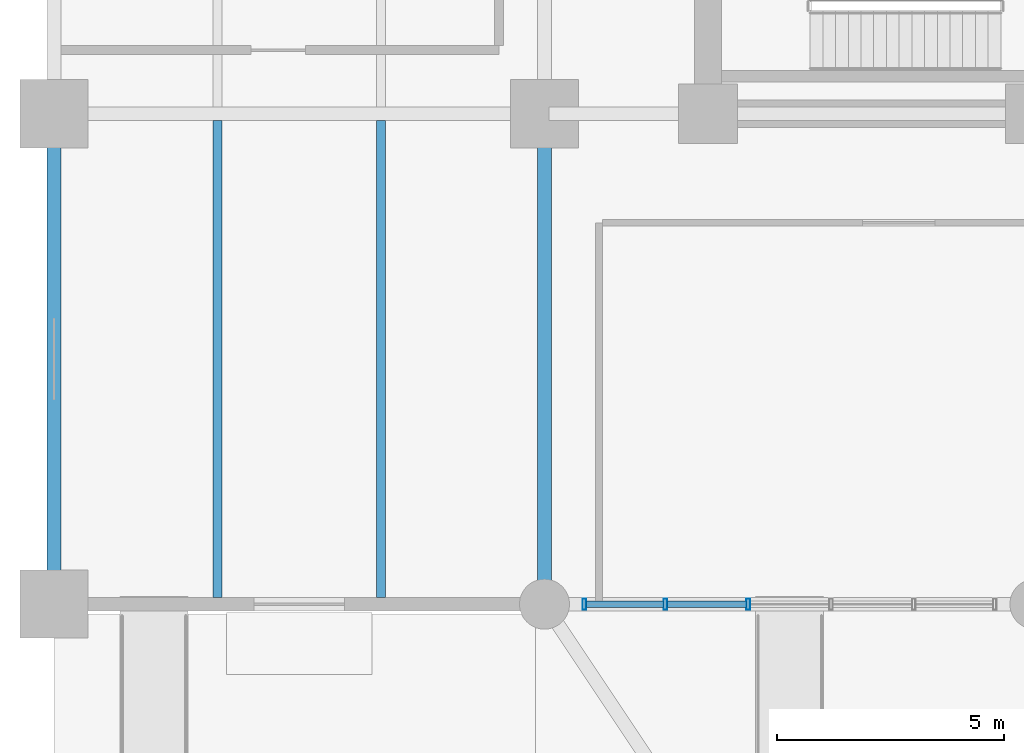
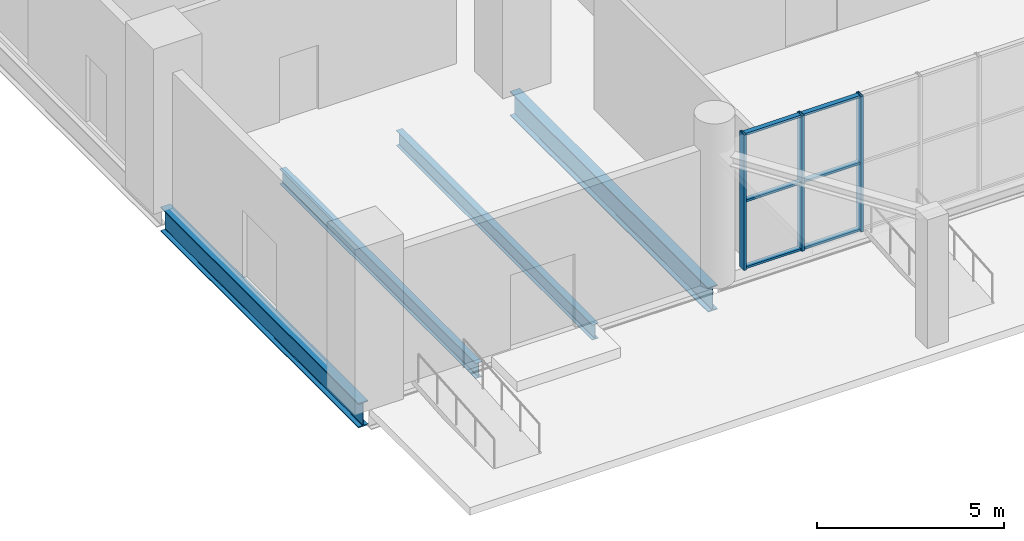
# One storey, part 2 of 22: 9 members, 4 beams, 1 element without a shape of its own.
"""IFC4 building model written with IfcOpenShell, lengths in metres."""

import ifcopenshell
import ifcopenshell.guid

model = None  # the IFC model being written
_history = None  # IfcOwnerHistory: only IFC2X3 demands one
_inside = {}  # id of a spatial element -> (the spatial element, [elements in it])
_under = {}  # id of a project, library or spatial element -> (it, [spatial elements below it])
_declared = {}  # id of a project -> (the project, [libraries it declares])
_typed = {}  # id of a type object -> (the type object, [elements of that type])
_made_of = {}  # id of a material, layer set ... -> (it, [elements and type objects made of it])


def new_model(schema):
    """Start an empty IFC model of exactly this schema.

    Asked for "IFC4X3", IfcOpenShell would pick the latest addendum, in which some entities
    have other attributes; the version numbers below select the first issue.
    IFC2X3 requires an IfcOwnerHistory on every rooted entity: one is made here for all.
    """
    global model, _history
    if schema == "IFC4X3":
        model = ifcopenshell.file(schema_version=(4, 3, 0, 0))
    else:
        model = ifcopenshell.file(schema=schema)
    _inside.clear()
    _under.clear()
    _declared.clear()
    _typed.clear()
    _made_of.clear()
    _history = None
    if model.schema == "IFC2X3":
        org = make("IfcOrganization", Name="unknown")
        user = make(
            "IfcPersonAndOrganization",
            ThePerson=make("IfcPerson", FamilyName="unknown"),
            TheOrganization=org,
        )
        app = make(
            "IfcApplication",
            ApplicationDeveloper=org,
            Version="unknown",
            ApplicationFullName="unknown",
            ApplicationIdentifier="unknown",
        )
        _history = make(
            "IfcOwnerHistory",
            OwningUser=user,
            OwningApplication=app,
            ChangeAction="ADDED",
            CreationDate=0,
        )
    return model


def make(cls, **values):
    """One entity of the class cls with the attributes given. An attribute that is None is left unset."""
    return model.create_entity(
        cls, **{name: value for name, value in values.items() if value is not None}
    )


def rooted(cls, **values):
    """An entity with a GlobalId (a new one), such as an element, a storey or a relation."""
    return make(cls, GlobalId=ifcopenshell.guid.new(), OwnerHistory=_history, **values)


def si_unit(unit_type, name, prefix=None):
    """IfcSIUnit, for example si_unit("LENGTHUNIT", "METRE", prefix="MILLI")."""
    return make("IfcSIUnit", UnitType=unit_type, Prefix=prefix, Name=name)


def assignment(units):
    """IfcUnitAssignment: the units of a project."""
    return None if units is None else make("IfcUnitAssignment", Units=units)


def point(xyz):
    """IfcCartesianPoint."""
    return None if xyz is None else make("IfcCartesianPoint", Coordinates=xyz)


def direction(xyz):
    """IfcDirection."""
    return None if xyz is None else make("IfcDirection", DirectionRatios=xyz)


def frame(location, z_axis=None, x_axis=None):
    """IfcAxis2Placement3D, a coordinate frame: its origin and axes. An axis left out is left unset."""
    return make(
        "IfcAxis2Placement3D",
        Location=point(location),
        Axis=direction(z_axis),
        RefDirection=direction(x_axis),
    )


def frame_2d(location, x_axis=None):
    """IfcAxis2Placement2D, a coordinate frame in the plane: its origin and x axis."""
    return make(
        "IfcAxis2Placement2D", Location=point(location), RefDirection=direction(x_axis)
    )


def origin():
    """The frame at (0, 0, 0) with its axes left unset."""
    return frame((0.0, 0.0, 0.0))


def origin_2d():
    """The frame at (0, 0) in the plane with its x axis left unset."""
    return frame_2d((0.0, 0.0))


def place(relative_to, where):
    """IfcLocalPlacement: puts the frame where relative to a parent placement (None: the world)."""
    return make(
        "IfcLocalPlacement", PlacementRelTo=relative_to, RelativePlacement=where
    )


def context(
    kind, dimensions, precision=None, world=None, true_north=None, identifier=None
):
    """IfcGeometricRepresentationContext, for example the 3D "Model" context."""
    return make(
        "IfcGeometricRepresentationContext",
        ContextIdentifier=identifier,
        ContextType=kind,
        CoordinateSpaceDimension=dimensions,
        Precision=precision,
        WorldCoordinateSystem=world,
        TrueNorth=true_north,
    )


def subcontext(parent, identifier, kind, view, scale=None):
    """IfcGeometricRepresentationSubContext, for example "Body" below "Model"."""
    return make(
        "IfcGeometricRepresentationSubContext",
        ContextIdentifier=identifier,
        ContextType=kind,
        ParentContext=parent,
        TargetScale=scale,
        TargetView=view,
    )


def project(units=None, contexts=None):
    """IfcProject with its units and contexts."""
    return rooted(
        "IfcProject",
        Name="project",
        RepresentationContexts=contexts,
        UnitsInContext=assignment(units),
    )


def spatial(cls, under=None, at=None, **own):
    """A site, building, storey or space (cls), placed at a placement, below another one or the project."""
    s = rooted(cls, ObjectPlacement=at, **own)
    if under is not None:
        _under.setdefault(under.id(), (under, []))[1].append(s)
    return s


def profile(cls, at=None, kind="AREA", **sizes):
    """A parametric profile (cls). Its sizes go by their IFC names, for example OverallWidth=200.0."""
    return make(cls, ProfileType=kind, Position=at, **sizes)


def hollow_rectangle(**sizes):
    """IfcRectangleHollowProfileDef."""
    return profile("IfcRectangleHollowProfileDef", **sizes)


def i_section(**sizes):
    """IfcIShapeProfileDef."""
    return profile("IfcIShapeProfileDef", **sizes)


def extrude(swept, where, along, depth):
    """IfcExtrudedAreaSolid: the profile swept, set in the frame where, extruded along a direction by depth."""
    return make(
        "IfcExtrudedAreaSolid",
        SweptArea=swept,
        Position=where,
        ExtrudedDirection=direction(along),
        Depth=depth,
    )


def shape(context_of_items, identifier, shape_type, items):
    """IfcShapeRepresentation: the items that make up one representation, for example the "Body"."""
    return make(
        "IfcShapeRepresentation",
        ContextOfItems=context_of_items,
        RepresentationIdentifier=identifier,
        RepresentationType=shape_type,
        Items=items,
    )


def material(Name=None, Category=None):
    """IfcMaterial."""
    return make("IfcMaterial", Name=Name, Category=Category)


def layer(
    of_material, thickness, ventilated=None, Name=None, Category=None, Priority=None
):
    """IfcMaterialLayer: one layer of a wall or slab, of a material (None: an air gap)."""
    return make(
        "IfcMaterialLayer",
        Material=of_material,
        LayerThickness=thickness,
        IsVentilated=ventilated,
        Name=Name,
        Category=Category,
        Priority=Priority,
    )


def layer_set(layers, Name=None):
    """IfcMaterialLayerSet."""
    return make("IfcMaterialLayerSet", MaterialLayers=layers, LayerSetName=Name)


def material_profile(
    of_material, cross_section, Name=None, Category=None, Priority=None
):
    """IfcMaterialProfile: a cross section and its material."""
    return make(
        "IfcMaterialProfile",
        Name=Name,
        Material=of_material,
        Profile=cross_section,
        Priority=Priority,
        Category=Category,
    )


def profile_set(profiles, Name=None, composite=None):
    """IfcMaterialProfileSet."""
    return make(
        "IfcMaterialProfileSet",
        Name=Name,
        MaterialProfiles=profiles,
        CompositeProfile=composite,
    )


def made_of(thing, what):
    """Note that an element or type object is made of a material, layer set ...; save() writes the relation."""
    if what is not None:
        _made_of.setdefault(what.id(), (what, []))[1].append(thing)
    return thing


def type_object(cls, material=None, **own):
    """A type object (cls), such as IfcWallType, which elements share."""
    return made_of(rooted(cls, **own), material)


def element(
    cls,
    number,
    at=None,
    inside=None,
    cuts=None,
    type_object=None,
    material=None,
    context=None,
    identifier="Body",
    shape_type=None,
    held_by="IfcProductDefinitionShape",
    body=None,
    shapes=None,
    **own,
):
    """One element of the class cls, such as IfcWall. Its Tag is "e" and its number.

    at: its placement. inside: the storey or other place that contains it. cuts: it is an
    opening in that element (IfcRelVoidsElement). A single representation is given by context,
    identifier, shape_type and body (its items); several are given by shapes. held_by: the class
    of the entity that holds the representations. save() writes the other relations.
    """
    e = rooted(cls, Tag="e%d" % number, ObjectPlacement=at, **own)
    if body is not None:
        shapes = [shape(context, identifier, shape_type, body)]
    if shapes is not None:
        e.Representation = make(held_by, Representations=shapes)
    if inside is not None:
        _inside.setdefault(inside.id(), (inside, []))[1].append(e)
    if cuts is not None:
        rooted(
            "IfcRelVoidsElement", RelatingBuildingElement=cuts, RelatedOpeningElement=e
        )
    if type_object is not None:
        _typed.setdefault(type_object.id(), (type_object, []))[1].append(e)
    return made_of(e, material)


def aggregate(whole, parts):
    """IfcRelAggregates: a whole, such as a stair, and the parts it consists of."""
    return rooted("IfcRelAggregates", RelatingObject=whole, RelatedObjects=parts)


def save(model, path):
    """Write the relations noted so far, then the file.

    IfcRelAggregates (storeys below a building ...), IfcRelContainedInSpatialStructure (elements
    in a storey), IfcRelDefinesByType, IfcRelAssociatesMaterial and IfcRelDeclares: one each for
    every whole, place, type object, material and project.
    """
    for whole, parts in _under.values():
        aggregate(whole, parts)
    for where, things in _inside.values():
        rooted(
            "IfcRelContainedInSpatialStructure",
            RelatedElements=things,
            RelatingStructure=where,
        )
    for kind, things in _typed.values():
        rooted("IfcRelDefinesByType", RelatedObjects=things, RelatingType=kind)
    for what, things in _made_of.values():
        rooted("IfcRelAssociatesMaterial", RelatedObjects=things, RelatingMaterial=what)
    for by, libraries in _declared.values():
        rooted("IfcRelDeclares", RelatingContext=by, RelatedDefinitions=libraries)
    model.write(path)


model = new_model("IFC4")

# Units and contexts
model_context = context("Model", 3, precision=1e-05, world=origin(), true_north=direction((0.0, 1.0)))
body_context = subcontext(model_context, "Body", "Model", "MODEL_VIEW")
ifc_project = project(units=[si_unit("LENGTHUNIT", "METRE"), si_unit("AREAUNIT", "SQUARE_METRE"), si_unit("VOLUMEUNIT", "CUBIC_METRE"), si_unit("PLANEANGLEUNIT", "RADIAN"), si_unit("MASSUNIT", "GRAM", prefix="KILO")], contexts=[model_context])

# Site, building, storey
site_placement = place(None, origin())
site = spatial("IfcSite", under=ifc_project, at=site_placement, CompositionType="ELEMENT")
building_placement = place(site_placement, origin())
building = spatial("IfcBuilding", under=site, at=building_placement, Name="Solnavia Interchange Tower", CompositionType="ELEMENT")
storey_placement = place(building_placement, origin())
storey = spatial("IfcBuildingStorey", under=building, at=storey_placement, Name="L00", CompositionType="ELEMENT", Elevation=0.0)

# Beams
ifc_material_1 = material(Name="Steel S460", Category="steel")
ifc_material_profile_1 = material_profile(ifc_material_1, i_section(OverallWidth=0.300048828125, OverallDepth=0.800048828125, WebThickness=0.017578125, FlangeThickness=0.032958984375, FilletRadius=0.030029296875, at=origin_2d()), Name="HEB 800")
ifc_profile_set_1 = profile_set([ifc_material_profile_1], Name="Steel S460")
beam_type_1 = type_object("IfcBeamType", Name="Beam-Girder-HEB800", PredefinedType="BEAM", material=ifc_profile_set_1)
for number, where, z_axis, x_axis, name in (
    (1, (0.0, 0.10009765625, -0.75), (0.0, 1.0, 0.0), (-1.0, 0.0, 0.0), "GRD-L00-43 Podium primary girder"),
    (2, (10.800048828125, 0.10009765625, -0.75), (0.0, 1.0, 0.0), (-1.0, 0.0, 0.0), "GRD-L00-48 Podium primary girder"),
):
    element("IfcBeam", number, at=place(storey_placement, frame(where, z_axis=z_axis, x_axis=x_axis)), inside=storey, type_object=beam_type_1, Name=name, PredefinedType="BEAM", context=body_context, shape_type="SweptSolid", body=[
        extrude(i_section(OverallWidth=0.300048828125, OverallDepth=0.800048828125, WebThickness=0.017578125, FlangeThickness=0.032958984375, FilletRadius=0.030029296875, at=origin_2d()), origin(), (0.0, 0.0, 1.0), 10.599853515625),
    ])
ifc_material_2 = material(Name="Steel S355", Category="steel")
ifc_material_profile_2 = material_profile(ifc_material_2, i_section(OverallWidth=0.199951171875, OverallDepth=0.5, WebThickness=0.01025390625, FlangeThickness=0.01611328125, FilletRadius=0.02099609375, at=origin_2d()), Name="IPE 500")
ifc_profile_set_2 = profile_set([ifc_material_profile_2], Name="Steel S355")
beam_type_2 = type_object("IfcBeamType", Name="Beam-Joist-IPE500", PredefinedType="JOIST", material=ifc_profile_set_2)
for number, where, z_axis, x_axis, name in (
    (3, (3.60009765625, 0.14990234375, -0.60009765625), (0.0, 1.0, 0.0), (-1.0, 0.0, 0.0), "JST-L00-01 Podium composite floor joist"),
    (4, (7.199951171875, 0.14990234375, -0.60009765625), (0.0, 1.0, 0.0), (-1.0, 0.0, 0.0), "JST-L00-06 Podium composite floor joist"),
):
    element("IfcBeam", number, at=place(storey_placement, frame(where, z_axis=z_axis, x_axis=x_axis)), inside=storey, type_object=beam_type_2, Name=name, PredefinedType="JOIST", context=body_context, shape_type="SweptSolid", body=[
        extrude(i_section(OverallWidth=0.199951171875, OverallDepth=0.5, WebThickness=0.01025390625, FlangeThickness=0.01611328125, FilletRadius=0.02099609375, at=origin_2d()), origin(), (0.0, 0.0, 1.0), 10.5),
    ])

# Curtain wall, members
ifc_material_3 = material(Name="Aluminium Alloy 6063-T6", Category="aluminium")
ifc_layer = layer(ifc_material_3, 0.27001953125)
ifc_layer_set = layer_set([ifc_layer], Name="Aluminium Alloy 6063-T6")
curtain_wall_type = type_object("IfcCurtainWallType", Name="CurtainWall-Podium-CTW1", PredefinedType="NOTDEFINED", material=ifc_layer_set)
curtain_wall_placement = place(storey_placement, origin())
curtain_wall = element("IfcCurtainWall", 5, at=curtain_wall_placement, inside=storey, type_object=curtain_wall_type, Name="CTW-L00-S01 CTW-1 curtain wall", PredefinedType="NOTDEFINED")
ifc_material_profile_3 = material_profile(ifc_material_3, hollow_rectangle(XDim=0.080078125, YDim=0.25, WallThickness=0.006103515625, at=origin_2d()), Name="ALU 250x80x6")
ifc_profile_set_3 = profile_set([ifc_material_profile_3], Name="Aluminium Alloy 6063-T6")
member_type_1 = type_object("IfcMemberType", Name="CW-Mullion-CWM-1", PredefinedType="MULLION", material=ifc_profile_set_3)
member_1_placement = place(storey_placement, frame((15.2880859375, 0.0, 0.0), z_axis=(0.0, 0.0, 1.0), x_axis=(-1.0, 0.0, 0.0)))
member_1 = element("IfcMember", 6, at=member_1_placement, type_object=member_type_1, Name="CTW-1 mullion 4", PredefinedType="MULLION", context=body_context, shape_type="SweptSolid", body=[
    extrude(hollow_rectangle(XDim=0.080078125, YDim=0.25, WallThickness=0.006103515625, at=origin_2d()), origin(), (0.0, 0.0, 1.0), 4.429931640625),
])
member_2_placement = place(storey_placement, frame((13.464111328125, 0.0, 0.0), z_axis=(0.0, 0.0, 1.0), x_axis=(-1.0, 0.0, 0.0)))
member_2 = element("IfcMember", 7, at=member_2_placement, type_object=member_type_1, Name="CTW-1 mullion 5", PredefinedType="MULLION", context=body_context, shape_type="SweptSolid", body=[
    extrude(hollow_rectangle(XDim=0.080078125, YDim=0.25, WallThickness=0.006103515625, at=origin_2d()), origin(), (0.0, 0.0, 1.0), 4.429931640625),
])
member_3_placement = place(storey_placement, frame((11.679931640625, 0.0, 0.0), z_axis=(0.0, 0.0, 1.0), x_axis=(-1.0, 0.0, 0.0)))
member_3 = element("IfcMember", 8, at=member_3_placement, type_object=member_type_1, Name="CTW-1 mullion 6", PredefinedType="MULLION", context=body_context, shape_type="SweptSolid", body=[
    extrude(hollow_rectangle(XDim=0.080078125, YDim=0.25, WallThickness=0.006103515625, at=origin_2d()), origin(), (0.0, 0.0, 1.0), 4.429931640625),
])
ifc_material_profile_4 = material_profile(ifc_material_3, hollow_rectangle(XDim=0.070068359375, YDim=0.14990234375, WallThickness=0.00439453125, at=origin_2d()), Name="ALU 150x70x4.5")
ifc_profile_set_4 = profile_set([ifc_material_profile_4], Name="Aluminium Alloy 6063-T6")
member_type_2 = type_object("IfcMemberType", Name="CW-Transom-CWT-1", PredefinedType="USERDEFINED", material=ifc_profile_set_4)
member_4_placement = place(storey_placement, frame((15.248046875, 0.0, 0.034912109375), z_axis=(-1.0, 0.0, 0.0), x_axis=(0.0, 0.0, 1.0)))
member_4 = element("IfcMember", 9, at=member_4_placement, type_object=member_type_2, Name="CTW-1 transom 4.1", ObjectType="TRANSOM", PredefinedType="USERDEFINED", context=body_context, shape_type="SweptSolid", body=[
    extrude(hollow_rectangle(XDim=0.070068359375, YDim=0.14990234375, WallThickness=0.00439453125, at=origin_2d()), origin(), (0.0, 0.0, 1.0), 1.744140625),
])
member_5_placement = place(storey_placement, frame((15.248046875, 0.0, 2.215087890625), z_axis=(-1.0, 0.0, 0.0), x_axis=(0.0, 0.0, 1.0)))
member_5 = element("IfcMember", 10, at=member_5_placement, type_object=member_type_2, Name="CTW-1 transom 4.2", ObjectType="TRANSOM", PredefinedType="USERDEFINED", context=body_context, shape_type="SweptSolid", body=[
    extrude(hollow_rectangle(XDim=0.070068359375, YDim=0.14990234375, WallThickness=0.00439453125, at=origin_2d()), origin(), (0.0, 0.0, 1.0), 1.744140625),
])
member_6_placement = place(storey_placement, frame((15.248046875, 0.0, 4.39501953125), z_axis=(-1.0, 0.0, 0.0), x_axis=(0.0, 0.0, 1.0)))
member_6 = element("IfcMember", 11, at=member_6_placement, type_object=member_type_2, Name="CTW-1 transom 4.3", ObjectType="TRANSOM", PredefinedType="USERDEFINED", context=body_context, shape_type="SweptSolid", body=[
    extrude(hollow_rectangle(XDim=0.070068359375, YDim=0.14990234375, WallThickness=0.00439453125, at=origin_2d()), origin(), (0.0, 0.0, 1.0), 1.744140625),
])
member_7_placement = place(storey_placement, frame((13.424072265625, 0.0, 0.034912109375), z_axis=(-1.0, 0.0, 0.0), x_axis=(0.0, 0.0, 1.0)))
member_7 = element("IfcMember", 12, at=member_7_placement, type_object=member_type_2, Name="CTW-1 transom 5.1", ObjectType="TRANSOM", PredefinedType="USERDEFINED", context=body_context, shape_type="SweptSolid", body=[
    extrude(hollow_rectangle(XDim=0.070068359375, YDim=0.14990234375, WallThickness=0.00439453125, at=origin_2d()), origin(), (0.0, 0.0, 1.0), 1.7041015625),
])
member_8_placement = place(storey_placement, frame((13.424072265625, 0.0, 2.215087890625), z_axis=(-1.0, 0.0, 0.0), x_axis=(0.0, 0.0, 1.0)))
member_8 = element("IfcMember", 13, at=member_8_placement, type_object=member_type_2, Name="CTW-1 transom 5.2", ObjectType="TRANSOM", PredefinedType="USERDEFINED", context=body_context, shape_type="SweptSolid", body=[
    extrude(hollow_rectangle(XDim=0.070068359375, YDim=0.14990234375, WallThickness=0.00439453125, at=origin_2d()), origin(), (0.0, 0.0, 1.0), 1.7041015625),
])
member_9_placement = place(storey_placement, frame((13.424072265625, 0.0, 4.39501953125), z_axis=(-1.0, 0.0, 0.0), x_axis=(0.0, 0.0, 1.0)))
member_9 = element("IfcMember", 14, at=member_9_placement, type_object=member_type_2, Name="CTW-1 transom 5.3", ObjectType="TRANSOM", PredefinedType="USERDEFINED", context=body_context, shape_type="SweptSolid", body=[
    extrude(hollow_rectangle(XDim=0.070068359375, YDim=0.14990234375, WallThickness=0.00439453125, at=origin_2d()), origin(), (0.0, 0.0, 1.0), 1.7041015625),
])
aggregate(curtain_wall, [member_1, member_2, member_3, member_4, member_5, member_6, member_7, member_8, member_9])

save(model, "model.ifc")
